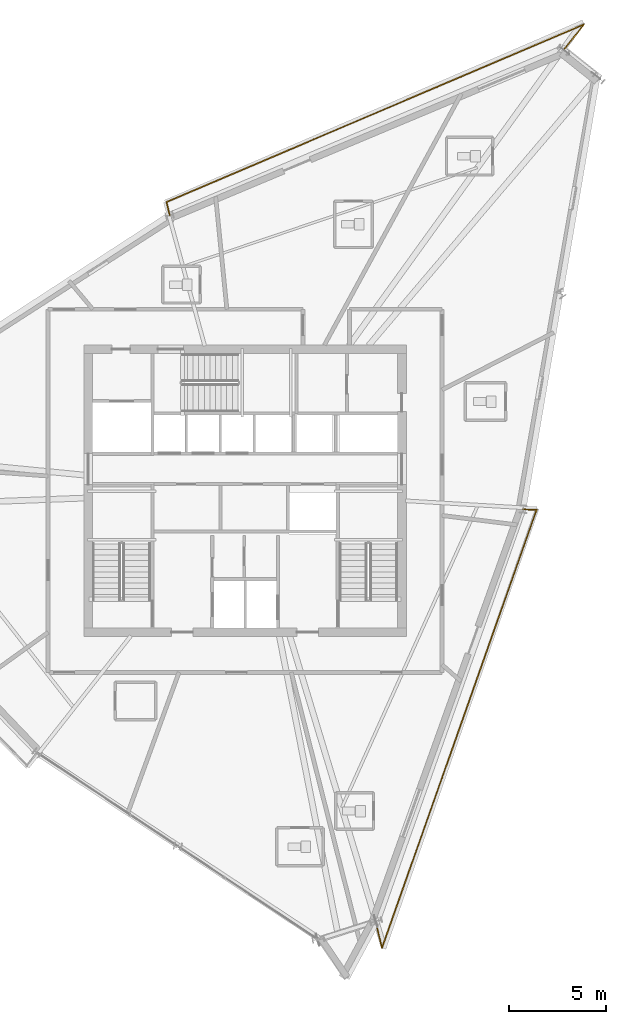
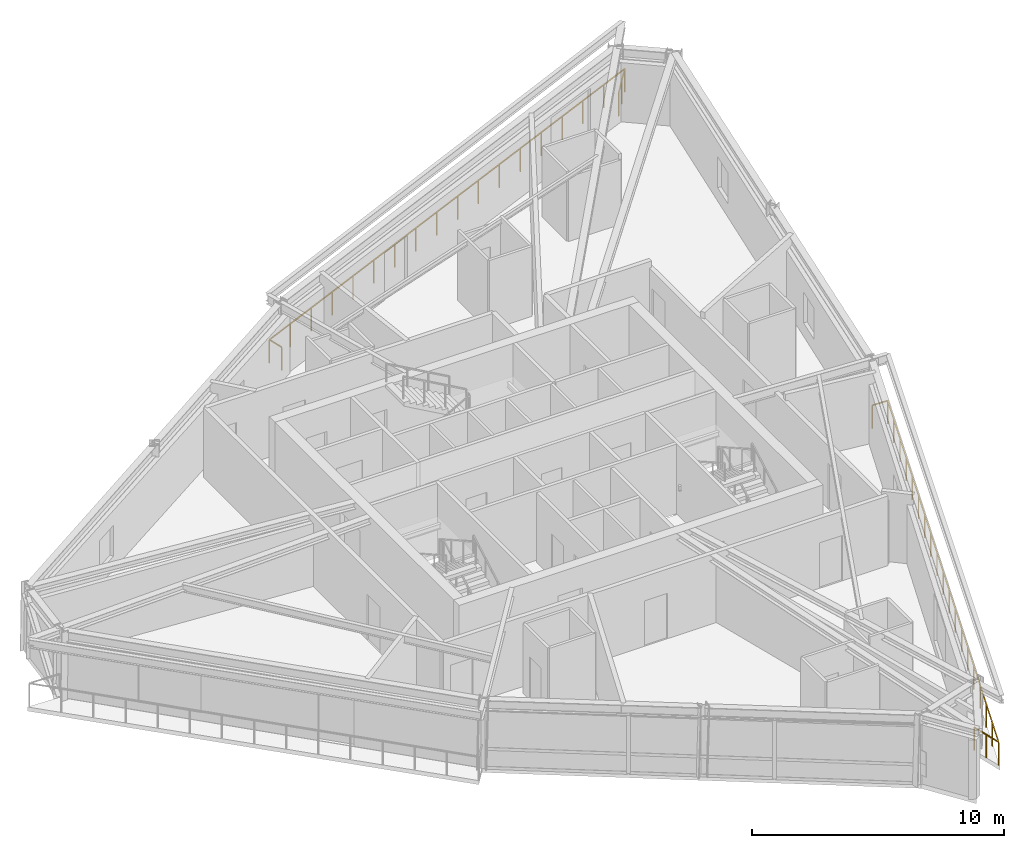
# One storey, part 14 of 15: 2 railings.
"""IFC4 building model written with IfcOpenShell, lengths in metres."""

import ifcopenshell
import ifcopenshell.guid

model = None  # the IFC model being written
_history = None  # IfcOwnerHistory: only IFC2X3 demands one
_inside = {}  # id of a spatial element -> (the spatial element, [elements in it])
_under = {}  # id of a project, library or spatial element -> (it, [spatial elements below it])
_declared = {}  # id of a project -> (the project, [libraries it declares])
_typed = {}  # id of a type object -> (the type object, [elements of that type])
_made_of = {}  # id of a material, layer set ... -> (it, [elements and type objects made of it])


def new_model(schema):
    """Start an empty IFC model of exactly this schema.

    Asked for "IFC4X3", IfcOpenShell would pick the latest addendum, in which some entities
    have other attributes; the version numbers below select the first issue.
    IFC2X3 requires an IfcOwnerHistory on every rooted entity: one is made here for all.
    """
    global model, _history
    if schema == "IFC4X3":
        model = ifcopenshell.file(schema_version=(4, 3, 0, 0))
    else:
        model = ifcopenshell.file(schema=schema)
    _inside.clear()
    _under.clear()
    _declared.clear()
    _typed.clear()
    _made_of.clear()
    _history = None
    if model.schema == "IFC2X3":
        org = make("IfcOrganization", Name="unknown")
        user = make(
            "IfcPersonAndOrganization",
            ThePerson=make("IfcPerson", FamilyName="unknown"),
            TheOrganization=org,
        )
        app = make(
            "IfcApplication",
            ApplicationDeveloper=org,
            Version="unknown",
            ApplicationFullName="unknown",
            ApplicationIdentifier="unknown",
        )
        _history = make(
            "IfcOwnerHistory",
            OwningUser=user,
            OwningApplication=app,
            ChangeAction="ADDED",
            CreationDate=0,
        )
    return model


def make(cls, **values):
    """One entity of the class cls with the attributes given. An attribute that is None is left unset."""
    return model.create_entity(
        cls, **{name: value for name, value in values.items() if value is not None}
    )


def rooted(cls, **values):
    """An entity with a GlobalId (a new one), such as an element, a storey or a relation."""
    return make(cls, GlobalId=ifcopenshell.guid.new(), OwnerHistory=_history, **values)


def si_unit(unit_type, name, prefix=None):
    """IfcSIUnit, for example si_unit("LENGTHUNIT", "METRE", prefix="MILLI")."""
    return make("IfcSIUnit", UnitType=unit_type, Prefix=prefix, Name=name)


def assignment(units):
    """IfcUnitAssignment: the units of a project."""
    return None if units is None else make("IfcUnitAssignment", Units=units)


def point(xyz):
    """IfcCartesianPoint."""
    return None if xyz is None else make("IfcCartesianPoint", Coordinates=xyz)


def direction(xyz):
    """IfcDirection."""
    return None if xyz is None else make("IfcDirection", DirectionRatios=xyz)


def frame(location, z_axis=None, x_axis=None):
    """IfcAxis2Placement3D, a coordinate frame: its origin and axes. An axis left out is left unset."""
    return make(
        "IfcAxis2Placement3D",
        Location=point(location),
        Axis=direction(z_axis),
        RefDirection=direction(x_axis),
    )


def frame_2d(location, x_axis=None):
    """IfcAxis2Placement2D, a coordinate frame in the plane: its origin and x axis."""
    return make(
        "IfcAxis2Placement2D", Location=point(location), RefDirection=direction(x_axis)
    )


def origin():
    """The frame at (0, 0, 0) with its axes left unset."""
    return frame((0.0, 0.0, 0.0))


def origin_2d():
    """The frame at (0, 0) in the plane with its x axis left unset."""
    return frame_2d((0.0, 0.0))


def place(relative_to, where):
    """IfcLocalPlacement: puts the frame where relative to a parent placement (None: the world)."""
    return make(
        "IfcLocalPlacement", PlacementRelTo=relative_to, RelativePlacement=where
    )


def context(
    kind, dimensions, precision=None, world=None, true_north=None, identifier=None
):
    """IfcGeometricRepresentationContext, for example the 3D "Model" context."""
    return make(
        "IfcGeometricRepresentationContext",
        ContextIdentifier=identifier,
        ContextType=kind,
        CoordinateSpaceDimension=dimensions,
        Precision=precision,
        WorldCoordinateSystem=world,
        TrueNorth=true_north,
    )


def subcontext(parent, identifier, kind, view, scale=None):
    """IfcGeometricRepresentationSubContext, for example "Body" below "Model"."""
    return make(
        "IfcGeometricRepresentationSubContext",
        ContextIdentifier=identifier,
        ContextType=kind,
        ParentContext=parent,
        TargetScale=scale,
        TargetView=view,
    )


def project(units=None, contexts=None):
    """IfcProject with its units and contexts."""
    return rooted(
        "IfcProject",
        Name="project",
        RepresentationContexts=contexts,
        UnitsInContext=assignment(units),
    )


def spatial(cls, under=None, at=None, **own):
    """A site, building, storey or space (cls), placed at a placement, below another one or the project."""
    s = rooted(cls, ObjectPlacement=at, **own)
    if under is not None:
        _under.setdefault(under.id(), (under, []))[1].append(s)
    return s


def profile(cls, at=None, kind="AREA", **sizes):
    """A parametric profile (cls). Its sizes go by their IFC names, for example OverallWidth=200.0."""
    return make(cls, ProfileType=kind, Position=at, **sizes)


def rectangle(**sizes):
    """IfcRectangleProfileDef."""
    return profile("IfcRectangleProfileDef", **sizes)


def extrude(swept, where, along, depth):
    """IfcExtrudedAreaSolid: the profile swept, set in the frame where, extruded along a direction by depth."""
    return make(
        "IfcExtrudedAreaSolid",
        SweptArea=swept,
        Position=where,
        ExtrudedDirection=direction(along),
        Depth=depth,
    )


def shape(context_of_items, identifier, shape_type, items):
    """IfcShapeRepresentation: the items that make up one representation, for example the "Body"."""
    return make(
        "IfcShapeRepresentation",
        ContextOfItems=context_of_items,
        RepresentationIdentifier=identifier,
        RepresentationType=shape_type,
        Items=items,
    )


def material(Name=None, Category=None):
    """IfcMaterial."""
    return make("IfcMaterial", Name=Name, Category=Category)


def made_of(thing, what):
    """Note that an element or type object is made of a material, layer set ...; save() writes the relation."""
    if what is not None:
        _made_of.setdefault(what.id(), (what, []))[1].append(thing)
    return thing


def type_object(cls, material=None, **own):
    """A type object (cls), such as IfcWallType, which elements share."""
    return made_of(rooted(cls, **own), material)


def element(
    cls,
    number,
    at=None,
    inside=None,
    cuts=None,
    type_object=None,
    material=None,
    context=None,
    identifier="Body",
    shape_type=None,
    held_by="IfcProductDefinitionShape",
    body=None,
    shapes=None,
    **own,
):
    """One element of the class cls, such as IfcWall. Its Tag is "e" and its number.

    at: its placement. inside: the storey or other place that contains it. cuts: it is an
    opening in that element (IfcRelVoidsElement). A single representation is given by context,
    identifier, shape_type and body (its items); several are given by shapes. held_by: the class
    of the entity that holds the representations. save() writes the other relations.
    """
    e = rooted(cls, Tag="e%d" % number, ObjectPlacement=at, **own)
    if body is not None:
        shapes = [shape(context, identifier, shape_type, body)]
    if shapes is not None:
        e.Representation = make(held_by, Representations=shapes)
    if inside is not None:
        _inside.setdefault(inside.id(), (inside, []))[1].append(e)
    if cuts is not None:
        rooted(
            "IfcRelVoidsElement", RelatingBuildingElement=cuts, RelatedOpeningElement=e
        )
    if type_object is not None:
        _typed.setdefault(type_object.id(), (type_object, []))[1].append(e)
    return made_of(e, material)


def aggregate(whole, parts):
    """IfcRelAggregates: a whole, such as a stair, and the parts it consists of."""
    return rooted("IfcRelAggregates", RelatingObject=whole, RelatedObjects=parts)


def save(model, path):
    """Write the relations noted so far, then the file.

    IfcRelAggregates (storeys below a building ...), IfcRelContainedInSpatialStructure (elements
    in a storey), IfcRelDefinesByType, IfcRelAssociatesMaterial and IfcRelDeclares: one each for
    every whole, place, type object, material and project.
    """
    for whole, parts in _under.values():
        aggregate(whole, parts)
    for where, things in _inside.values():
        rooted(
            "IfcRelContainedInSpatialStructure",
            RelatedElements=things,
            RelatingStructure=where,
        )
    for kind, things in _typed.values():
        rooted("IfcRelDefinesByType", RelatedObjects=things, RelatingType=kind)
    for what, things in _made_of.values():
        rooted("IfcRelAssociatesMaterial", RelatedObjects=things, RelatingMaterial=what)
    for by, libraries in _declared.values():
        rooted("IfcRelDeclares", RelatingContext=by, RelatedDefinitions=libraries)
    model.write(path)


model = new_model("IFC4")

# Units and contexts
model_context = context("Model", 3, precision=1e-05, world=origin(), true_north=direction((0.0, 1.0)))
body_context = subcontext(model_context, "Body", "Model", "MODEL_VIEW")
ifc_project = project(units=[si_unit("LENGTHUNIT", "METRE"), si_unit("AREAUNIT", "SQUARE_METRE"), si_unit("VOLUMEUNIT", "CUBIC_METRE"), si_unit("PLANEANGLEUNIT", "RADIAN"), si_unit("MASSUNIT", "GRAM", prefix="KILO")], contexts=[model_context])

# Site, building, storey
site_placement = place(None, origin())
site = spatial("IfcSite", under=ifc_project, at=site_placement, CompositionType="ELEMENT")
building_placement = place(site_placement, origin())
building = spatial("IfcBuilding", under=site, at=building_placement, Name="Olszyna Solenne Hotel", CompositionType="ELEMENT")
storey_placement = place(building_placement, frame((0.0, 0.0, 245.300048828125)))
storey = spatial("IfcBuildingStorey", under=building, at=storey_placement, Name="L65", CompositionType="ELEMENT", Elevation=245.300048828125)

# Railings
ifc_material = material(Name="Anodised bronze aluminium", Category="aluminium")
railing_type = type_object("IfcRailingType", Name="GR-110", PredefinedType="BALUSTRADE", material=ifc_material)
railing_1_placement = place(storey_placement, frame((54.4990234375, 49.421142578125, 0.0)))
element("IfcRailing", 1, at=railing_1_placement, inside=storey, type_object=railing_type, Name="Loggia balcony balustrade guard GR-L65-LG1", PredefinedType="BALUSTRADE", context=body_context, shape_type="SweptSolid", body=[
    extrude(rectangle(XDim=0.048095703125, YDim=0.048095703125, at=origin_2d()), frame((0.0, 0.0, 1.1259765625), z_axis=(0.619489878028, 0.785004643949, 0.0), x_axis=(-0.785004643949, 0.619489878028, 0.0)), (0.0, 0.0, 1.0), 1.69189453125),
    extrude(rectangle(XDim=0.048095703125, YDim=0.048095703125, at=origin_2d()), frame((1.048095703125, 1.328125, 1.1259765625), z_axis=(-0.920156946137, -0.391549734357, 0.0), x_axis=(0.391549734357, -0.920156946137, 0.0)), (0.0, 0.0, 1.0), 23.489990234375),
    extrude(rectangle(XDim=0.048095703125, YDim=0.048095703125, at=origin_2d()), frame((-20.56640625, -7.869384765625, 1.1259765625), z_axis=(0.233047451951, -0.972465364493, 0.0), x_axis=(0.972465364493, 0.233047451951, 0.0)), (0.0, 0.0, 1.0), 0.709228515625),
    extrude(rectangle(XDim=0.0419921875, YDim=0.0419921875, at=origin_2d()), origin(), (0.0, 0.0, 1.0), 1.101806640625),
    extrude(rectangle(XDim=0.0419921875, YDim=0.0419921875, at=origin_2d()), frame((0.52392578125, 0.6640625, 0.0)), (0.0, 0.0, 1.0), 1.101806640625),
    extrude(rectangle(XDim=0.0419921875, YDim=0.0419921875, at=origin_2d()), frame((1.048095703125, 1.328125, 0.0)), (0.0, 0.0, 1.0), 1.101806640625),
    extrude(rectangle(XDim=0.0419921875, YDim=0.0419921875, at=origin_2d()), frame((-0.223388671875, 0.787109375, 0.0)), (0.0, 0.0, 1.0), 1.101806640625),
    extrude(rectangle(XDim=0.0419921875, YDim=0.0419921875, at=origin_2d()), frame((-1.494873046875, 0.24609375, 0.0)), (0.0, 0.0, 1.0), 1.101806640625),
    extrude(rectangle(XDim=0.0419921875, YDim=0.0419921875, at=origin_2d()), frame((-2.76611328125, -0.294921875, 0.0)), (0.0, 0.0, 1.0), 1.101806640625),
    extrude(rectangle(XDim=0.0419921875, YDim=0.0419921875, at=origin_2d()), frame((-4.03759765625, -0.8359375, 0.0)), (0.0, 0.0, 1.0), 1.101806640625),
    extrude(rectangle(XDim=0.0419921875, YDim=0.0419921875, at=origin_2d()), frame((-5.30908203125, -1.376953125, 0.0)), (0.0, 0.0, 1.0), 1.101806640625),
    extrude(rectangle(XDim=0.0419921875, YDim=0.0419921875, at=origin_2d()), frame((-6.58056640625, -1.91796875, 0.0)), (0.0, 0.0, 1.0), 1.101806640625),
    extrude(rectangle(XDim=0.0419921875, YDim=0.0419921875, at=origin_2d()), frame((-7.85205078125, -2.458984375, 0.0)), (0.0, 0.0, 1.0), 1.101806640625),
    extrude(rectangle(XDim=0.0419921875, YDim=0.0419921875, at=origin_2d()), frame((-9.12353515625, -3.0, 0.0)), (0.0, 0.0, 1.0), 1.101806640625),
    extrude(rectangle(XDim=0.0419921875, YDim=0.0419921875, at=origin_2d()), frame((-10.394775390625, -3.541259765625, 0.0)), (0.0, 0.0, 1.0), 1.101806640625),
    extrude(rectangle(XDim=0.0419921875, YDim=0.0419921875, at=origin_2d()), frame((-11.666259765625, -4.082275390625, 0.0)), (0.0, 0.0, 1.0), 1.101806640625),
    extrude(rectangle(XDim=0.0419921875, YDim=0.0419921875, at=origin_2d()), frame((-12.937744140625, -4.623291015625, 0.0)), (0.0, 0.0, 1.0), 1.101806640625),
    extrude(rectangle(XDim=0.0419921875, YDim=0.0419921875, at=origin_2d()), frame((-14.209228515625, -5.164306640625, 0.0)), (0.0, 0.0, 1.0), 1.101806640625),
    extrude(rectangle(XDim=0.0419921875, YDim=0.0419921875, at=origin_2d()), frame((-15.480712890625, -5.705322265625, 0.0)), (0.0, 0.0, 1.0), 1.101806640625),
    extrude(rectangle(XDim=0.0419921875, YDim=0.0419921875, at=origin_2d()), frame((-16.752197265625, -6.246337890625, 0.0)), (0.0, 0.0, 1.0), 1.101806640625),
    extrude(rectangle(XDim=0.0419921875, YDim=0.0419921875, at=origin_2d()), frame((-18.0234375, -6.787353515625, 0.0)), (0.0, 0.0, 1.0), 1.101806640625),
    extrude(rectangle(XDim=0.0419921875, YDim=0.0419921875, at=origin_2d()), frame((-19.294921875, -7.328369140625, 0.0)), (0.0, 0.0, 1.0), 1.101806640625),
    extrude(rectangle(XDim=0.0419921875, YDim=0.0419921875, at=origin_2d()), frame((-20.56640625, -7.869384765625, 0.0)), (0.0, 0.0, 1.0), 1.101806640625),
    extrude(rectangle(XDim=0.0419921875, YDim=0.0419921875, at=origin_2d()), frame((-20.401123046875, -8.55908203125, 0.0)), (0.0, 0.0, 1.0), 1.101806640625),
])
railing_2_placement = place(storey_placement, frame((44.758544921875, 4.30517578125, 0.0)))
element("IfcRailing", 2, at=railing_2_placement, inside=storey, type_object=railing_type, Name="Loggia balcony balustrade guard GR-L65-LG3", PredefinedType="BALUSTRADE", context=body_context, shape_type="SweptSolid", body=[
    extrude(rectangle(XDim=0.048095703125, YDim=0.048095703125, at=origin_2d()), frame((0.0, 0.0, 1.1259765625), z_axis=(0.232682920515, -0.97255265076, 0.0), x_axis=(0.97255265076, 0.232682920515, 0.0)), (0.0, 0.0, 1.0), 1.41845703125),
    extrude(rectangle(XDim=0.048095703125, YDim=0.048095703125, at=origin_2d()), frame((0.330078125, -1.379638671875, 1.1259765625), z_axis=(0.332849311255, 0.94298002948, 0.0), x_axis=(-0.94298002948, 0.332849311255, 0.0)), (0.0, 0.0, 1.0), 24.05908203125),
    extrude(rectangle(XDim=0.048095703125, YDim=0.048095703125, at=origin_2d()), frame((8.338134765625, 21.3076171875, 1.1259765625), z_axis=(-0.999295293217, 0.037535542552, 0.0), x_axis=(-0.037535542552, -0.999295293217, 0.0)), (0.0, 0.0, 1.0), 0.689453125),
    extrude(rectangle(XDim=0.0419921875, YDim=0.0419921875, at=origin_2d()), origin(), (0.0, 0.0, 1.0), 1.101806640625),
    extrude(rectangle(XDim=0.0419921875, YDim=0.0419921875, at=origin_2d()), frame((0.1650390625, -0.68994140625, 0.0)), (0.0, 0.0, 1.0), 1.101806640625),
    extrude(rectangle(XDim=0.0419921875, YDim=0.0419921875, at=origin_2d()), frame((0.330078125, -1.379638671875, 0.0)), (0.0, 0.0, 1.0), 1.101806640625),
    extrude(rectangle(XDim=0.0419921875, YDim=0.0419921875, at=origin_2d()), frame((0.77490234375, -0.119140625, 0.0)), (0.0, 0.0, 1.0), 1.101806640625),
    extrude(rectangle(XDim=0.0419921875, YDim=0.0419921875, at=origin_2d()), frame((1.219970703125, 1.14111328125, 0.0)), (0.0, 0.0, 1.0), 1.101806640625),
    extrude(rectangle(XDim=0.0419921875, YDim=0.0419921875, at=origin_2d()), frame((1.664794921875, 2.401611328125, 0.0)), (0.0, 0.0, 1.0), 1.101806640625),
    extrude(rectangle(XDim=0.0419921875, YDim=0.0419921875, at=origin_2d()), frame((2.109619140625, 3.661865234375, 0.0)), (0.0, 0.0, 1.0), 1.101806640625),
    extrude(rectangle(XDim=0.0419921875, YDim=0.0419921875, at=origin_2d()), frame((2.554443359375, 4.92236328125, 0.0)), (0.0, 0.0, 1.0), 1.101806640625),
    extrude(rectangle(XDim=0.0419921875, YDim=0.0419921875, at=origin_2d()), frame((2.99951171875, 6.182861328125, 0.0)), (0.0, 0.0, 1.0), 1.101806640625),
    extrude(rectangle(XDim=0.0419921875, YDim=0.0419921875, at=origin_2d()), frame((3.4443359375, 7.443115234375, 0.0)), (0.0, 0.0, 1.0), 1.101806640625),
    extrude(rectangle(XDim=0.0419921875, YDim=0.0419921875, at=origin_2d()), frame((3.88916015625, 8.70361328125, 0.0)), (0.0, 0.0, 1.0), 1.101806640625),
    extrude(rectangle(XDim=0.0419921875, YDim=0.0419921875, at=origin_2d()), frame((4.333984375, 9.9638671875, 0.0)), (0.0, 0.0, 1.0), 1.101806640625),
    extrude(rectangle(XDim=0.0419921875, YDim=0.0419921875, at=origin_2d()), frame((4.779052734375, 11.224365234375, 0.0)), (0.0, 0.0, 1.0), 1.101806640625),
    extrude(rectangle(XDim=0.0419921875, YDim=0.0419921875, at=origin_2d()), frame((5.223876953125, 12.48486328125, 0.0)), (0.0, 0.0, 1.0), 1.101806640625),
    extrude(rectangle(XDim=0.0419921875, YDim=0.0419921875, at=origin_2d()), frame((5.668701171875, 13.7451171875, 0.0)), (0.0, 0.0, 1.0), 1.101806640625),
    extrude(rectangle(XDim=0.0419921875, YDim=0.0419921875, at=origin_2d()), frame((6.11376953125, 15.005615234375, 0.0)), (0.0, 0.0, 1.0), 1.101806640625),
    extrude(rectangle(XDim=0.0419921875, YDim=0.0419921875, at=origin_2d()), frame((6.55859375, 16.26611328125, 0.0)), (0.0, 0.0, 1.0), 1.101806640625),
    extrude(rectangle(XDim=0.0419921875, YDim=0.0419921875, at=origin_2d()), frame((7.00341796875, 17.5263671875, 0.0)), (0.0, 0.0, 1.0), 1.101806640625),
    extrude(rectangle(XDim=0.0419921875, YDim=0.0419921875, at=origin_2d()), frame((7.4482421875, 18.786865234375, 0.0)), (0.0, 0.0, 1.0), 1.101806640625),
    extrude(rectangle(XDim=0.0419921875, YDim=0.0419921875, at=origin_2d()), frame((7.893310546875, 20.047119140625, 0.0)), (0.0, 0.0, 1.0), 1.101806640625),
    extrude(rectangle(XDim=0.0419921875, YDim=0.0419921875, at=origin_2d()), frame((8.338134765625, 21.3076171875, 0.0)), (0.0, 0.0, 1.0), 1.101806640625),
    extrude(rectangle(XDim=0.0419921875, YDim=0.0419921875, at=origin_2d()), frame((7.649169921875, 21.33349609375, 0.0)), (0.0, 0.0, 1.0), 1.101806640625),
])

save(model, "model.ifc")
